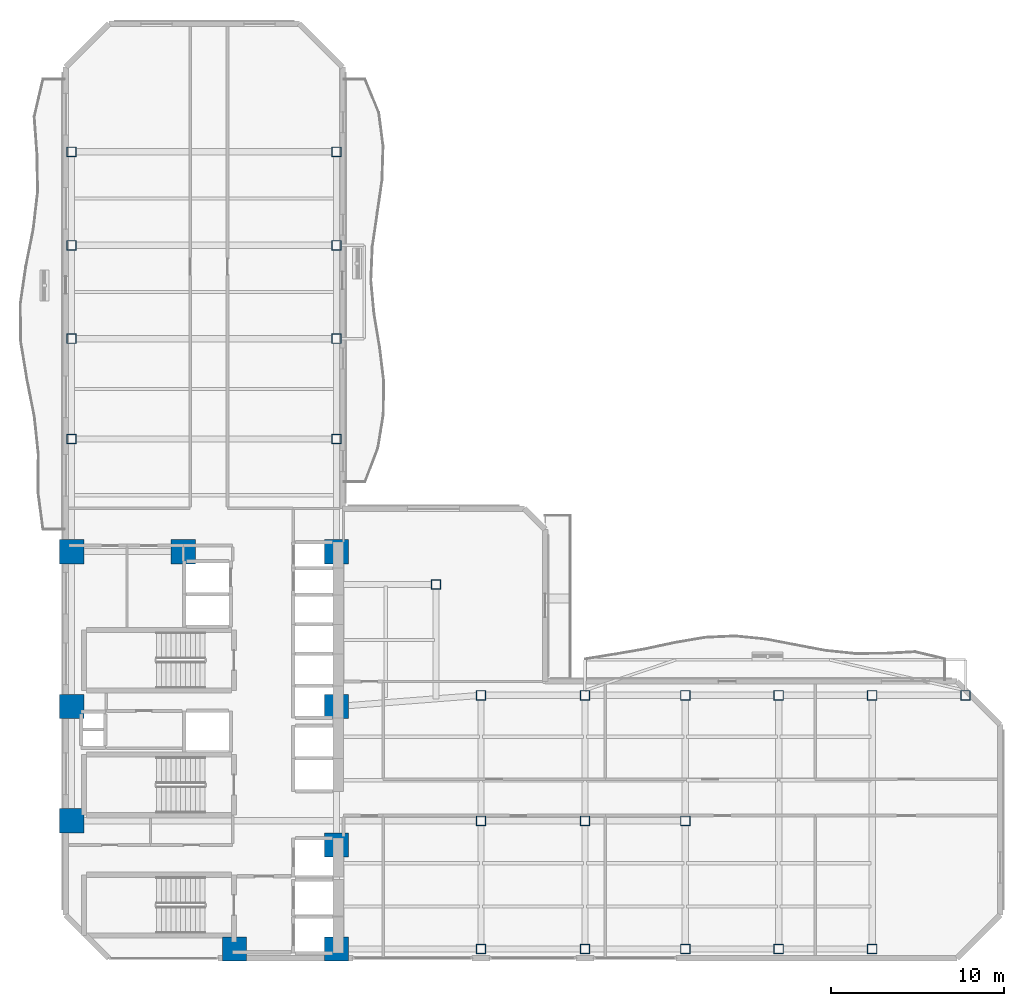
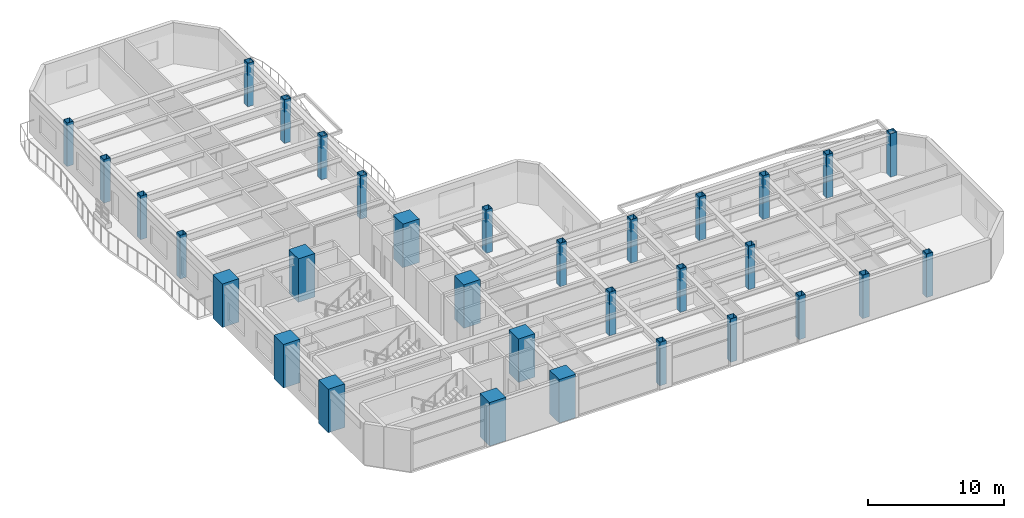
# One storey, part 1 of 17: 32 columns.
"""IFC4 building model written with IfcOpenShell, lengths in metres."""

from ifc_helpers import new_model, si_unit, direction, frame, origin, origin_2d, place, context, subcontext, project, spatial, rectangle, hollow_rectangle, extrude, material, material_profile, profile_set, type_object, element, save


model = new_model("IFC4")

# Units and contexts
model_context = context("Model", 3, precision=1e-05, world=origin(), true_north=direction((0.0, 1.0)))
body_context = subcontext(model_context, "Body", "Model", "MODEL_VIEW")
ifc_project = project(units=[si_unit("LENGTHUNIT", "METRE"), si_unit("AREAUNIT", "SQUARE_METRE"), si_unit("VOLUMEUNIT", "CUBIC_METRE"), si_unit("PLANEANGLEUNIT", "RADIAN"), si_unit("MASSUNIT", "GRAM", prefix="KILO")], contexts=[model_context])

# Site, building, storey
site_placement = place(None, origin())
site = spatial("IfcSite", under=ifc_project, at=site_placement, CompositionType="ELEMENT")
building_placement = place(site_placement, origin())
building = spatial("IfcBuilding", under=site, at=building_placement, Name="Mawjaban Terraces University", CompositionType="ELEMENT")
storey_placement = place(building_placement, frame((0.0, 0.0, 70.0)))
storey = spatial("IfcBuildingStorey", under=building, at=storey_placement, Name="L16", CompositionType="ELEMENT", Elevation=70.0)

# Columns
ifc_material_1 = material(Name="Concrete C70/85", Category="concrete")
ifc_material_profile_1 = material_profile(ifc_material_1, rectangle(XDim=1.39990234375, YDim=1.39990234375, at=origin_2d()), Name="RC1400X1400")
ifc_profile_set_1 = profile_set([ifc_material_profile_1], Name="Concrete C70/85")
column_type_1 = type_object("IfcColumnType", Name="Col_RC1400X1400", PredefinedType="COLUMN", material=ifc_profile_set_1)
for number, where, z_axis, x_axis, name in (
    (1, (31.75, 0.550048828125, 0.0), (0.0, 0.0, 1.0), (1.0, 0.0, 0.0), "L16 Column CC2"),
    (2, (37.64990234375, 0.550048828125, 0.0), (0.0, 0.0, 1.0), (1.0, 0.0, 0.0), "L16 Column CC3"),
    (3, (22.35009765625, 7.949951171875, 0.0), (0.0, 0.0, 1.0), (1.0, 0.0, 0.0), "L16 Column CC4"),
    (4, (37.64990234375, 6.550048828125, 0.0), (0.0, 0.0, 1.0), (1.0, 0.0, 0.0), "L16 Column CC5"),
    (5, (22.35009765625, 14.550048828125, 0.0), (0.0, 0.0, 1.0), (1.0, 0.0, 0.0), "L16 Column CC6"),
    (6, (37.64990234375, 14.550048828125, 0.0), (0.0, 0.0, 1.0), (1.0, 0.0, 0.0), "L16 Column CC7"),
    (7, (22.35009765625, 23.5, 0.0), (0.0, 0.0, 1.0), (1.0, 0.0, 0.0), "L16 Column CC8"),
    (8, (28.800048828125, 23.5, 0.0), (0.0, 0.0, 1.0), (1.0, 0.0, 0.0), "L16 Column CC9"),
    (9, (37.64990234375, 23.5, 0.0), (0.0, 0.0, 1.0), (1.0, 0.0, 0.0), "L16 Column CC10"),
):
    element("IfcColumn", number, at=place(storey_placement, frame(where, z_axis=z_axis, x_axis=x_axis)), inside=storey, type_object=column_type_1, Name=name, PredefinedType="COLUMN", context=body_context, shape_type="SweptSolid", body=[
        extrude(rectangle(XDim=1.39990234375, YDim=1.39990234375, at=origin_2d()), origin(), (0.0, 0.0, 1.0), 3.89990234375),
    ])
ifc_material_2 = material(Name="Steel EN 10210-1 S355J2H", Category="steel")
ifc_material_profile_2 = material_profile(ifc_material_2, hollow_rectangle(XDim=0.550048828125, YDim=0.550048828125, WallThickness=0.02490234375, at=origin_2d()), Name="SHS550X550X25")
ifc_profile_set_2 = profile_set([ifc_material_profile_2], Name="Steel EN 10210-1 S355J2H")
column_type_2 = type_object("IfcColumnType", Name="Col_SHS550X550X25", PredefinedType="COLUMN", material=ifc_profile_set_2)
for number, where, z_axis, x_axis, name in (
    (10, (46.0, 0.550048828125, 0.0), (0.0, 0.0, 1.0), (1.0, 0.0, 0.0), "L16 Column TE-460-005"),
    (11, (46.0, 7.949951171875, 0.0), (0.0, 0.0, 1.0), (1.0, 0.0, 0.0), "L16 Column TE-460-080"),
    (12, (46.0, 15.199951171875, 0.0), (0.0, 0.0, 1.0), (1.0, 0.0, 0.0), "L16 Column TE-460-152"),
    (13, (52.0, 0.550048828125, 0.0), (0.0, 0.0, 1.0), (1.0, 0.0, 0.0), "L16 Column TE-520-005"),
    (14, (52.0, 7.949951171875, 0.0), (0.0, 0.0, 1.0), (1.0, 0.0, 0.0), "L16 Column TE-520-080"),
    (15, (52.0, 15.199951171875, 0.0), (0.0, 0.0, 1.0), (1.0, 0.0, 0.0), "L16 Column TE-520-152"),
    (16, (57.800048828125, 0.550048828125, 0.0), (0.0, 0.0, 1.0), (1.0, 0.0, 0.0), "L16 Column TE-578-005"),
    (17, (57.800048828125, 7.949951171875, 0.0), (0.0, 0.0, 1.0), (1.0, 0.0, 0.0), "L16 Column TE-578-080"),
    (18, (57.800048828125, 15.199951171875, 0.0), (0.0, 0.0, 1.0), (1.0, 0.0, 0.0), "L16 Column TE-578-152"),
    (19, (63.199951171875, 0.550048828125, 0.0), (0.0, 0.0, 1.0), (1.0, 0.0, 0.0), "L16 Column TE-632-005"),
    (20, (63.199951171875, 15.199951171875, 0.0), (0.0, 0.0, 1.0), (1.0, 0.0, 0.0), "L16 Column TE-632-152"),
    (21, (68.60009765625, 0.550048828125, 0.0), (0.0, 0.0, 1.0), (1.0, 0.0, 0.0), "L16 Column TE-686-005"),
    (22, (68.60009765625, 15.199951171875, 0.0), (0.0, 0.0, 1.0), (1.0, 0.0, 0.0), "L16 Column TE-686-152"),
    (23, (74.0, 15.199951171875, 0.0), (0.0, 0.0, 1.0), (1.0, 0.0, 0.0), "L16 Column TE-740-152"),
    (24, (22.35009765625, 30.0, 0.0), (0.0, 0.0, 1.0), (1.0, 0.0, 0.0), "L16 Column TN-223-300"),
    (25, (37.64990234375, 30.0, 0.0), (0.0, 0.0, 1.0), (1.0, 0.0, 0.0), "L16 Column TN-376-300"),
    (26, (22.35009765625, 35.800048828125, 0.0), (0.0, 0.0, 1.0), (1.0, 0.0, 0.0), "L16 Column TN-223-358"),
    (27, (37.64990234375, 35.800048828125, 0.0), (0.0, 0.0, 1.0), (1.0, 0.0, 0.0), "L16 Column TN-376-358"),
    (28, (22.35009765625, 41.199951171875, 0.0), (0.0, 0.0, 1.0), (1.0, 0.0, 0.0), "L16 Column TN-223-412"),
    (29, (37.64990234375, 41.199951171875, 0.0), (0.0, 0.0, 1.0), (1.0, 0.0, 0.0), "L16 Column TN-376-412"),
    (30, (22.35009765625, 46.60009765625, 0.0), (0.0, 0.0, 1.0), (1.0, 0.0, 0.0), "L16 Column TN-223-466"),
    (31, (37.64990234375, 46.60009765625, 0.0), (0.0, 0.0, 1.0), (1.0, 0.0, 0.0), "L16 Column TN-376-466"),
    (32, (43.39990234375, 21.60009765625, 0.0), (0.0, 0.0, 1.0), (1.0, 0.0, 0.0), "L16 Column TS-434-216"),
):
    element("IfcColumn", number, at=place(storey_placement, frame(where, z_axis=z_axis, x_axis=x_axis)), inside=storey, type_object=column_type_2, Name=name, PredefinedType="COLUMN", context=body_context, shape_type="SweptSolid", body=[
        extrude(hollow_rectangle(XDim=0.550048828125, YDim=0.550048828125, WallThickness=0.02490234375, at=origin_2d()), origin(), (0.0, 0.0, 1.0), 3.89990234375),
    ])

save(model, "model.ifc")
